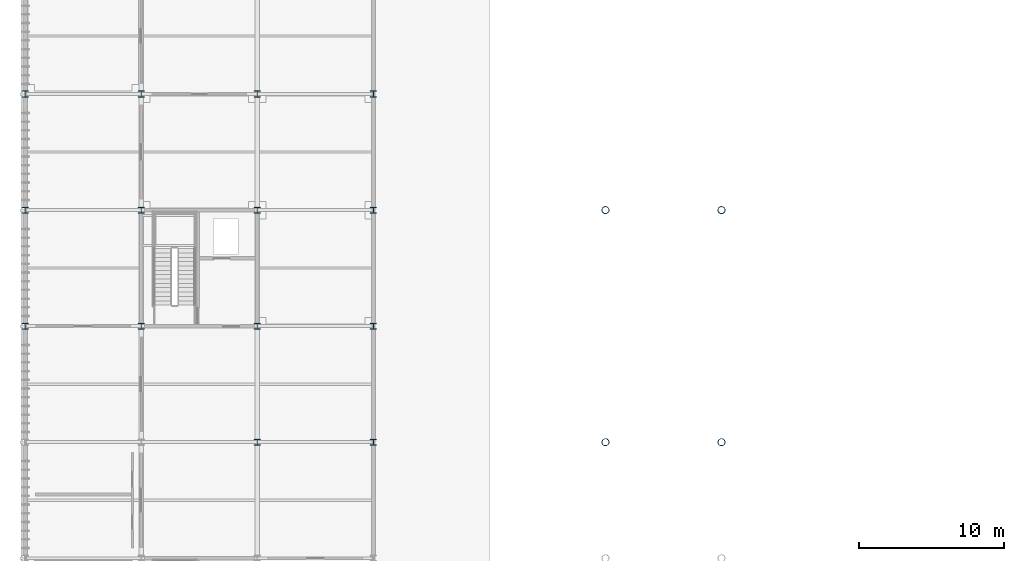
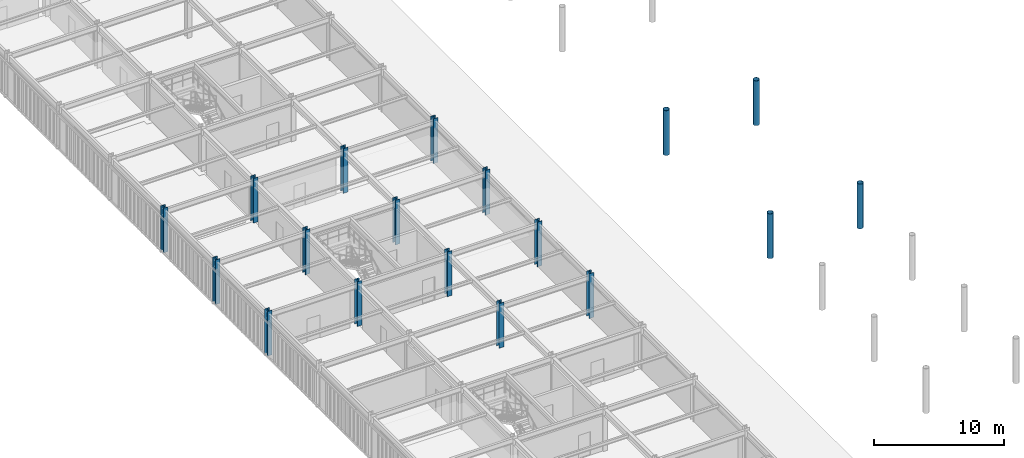
# One storey, part 2 of 54: 18 columns.
"""IFC4 building model written with IfcOpenShell, lengths in metres."""

from ifc_helpers import new_model, si_unit, direction, frame, origin, origin_2d, place, context, subcontext, project, spatial, hollow_circle, i_section, extrude, material, material_profile, profile_set, type_object, element, save


model = new_model("IFC4")

# Units and contexts
model_context = context("Model", 3, precision=1e-05, world=origin(), true_north=direction((0.0, 1.0)))
body_context = subcontext(model_context, "Body", "Model", "MODEL_VIEW")
ifc_project = project(units=[si_unit("LENGTHUNIT", "METRE"), si_unit("AREAUNIT", "SQUARE_METRE"), si_unit("VOLUMEUNIT", "CUBIC_METRE"), si_unit("PLANEANGLEUNIT", "RADIAN"), si_unit("MASSUNIT", "GRAM", prefix="KILO")], contexts=[model_context])

# Site, building, storey
site_placement = place(None, origin())
site = spatial("IfcSite", under=ifc_project, at=site_placement, CompositionType="ELEMENT")
building_placement = place(site_placement, origin())
building = spatial("IfcBuilding", under=site, at=building_placement, Name="Haebicheon Civic Stadium", CompositionType="ELEMENT")
storey_placement = place(building_placement, frame((0.0, 0.0, 22.800048828125)))
storey = spatial("IfcBuildingStorey", under=building, at=storey_placement, Name="L06", CompositionType="ELEMENT", Elevation=22.800048828125)

# Columns
ifc_material_1 = material(Name="White painted steel SM490", Category="steel")
ifc_material_profile_1 = material_profile(ifc_material_1, hollow_circle(Radius=0.25390625, WallThickness=0.02490234375, at=origin_2d()), Name="CHS-508.0x25.0")
ifc_profile_set_1 = profile_set([ifc_material_profile_1], Name="White painted steel SM490")
column_type_1 = type_object("IfcColumnType", Name="COL-ST-CHS508", PredefinedType="COLUMN", material=ifc_profile_set_1)
for number, where, z_axis, x_axis, name in (
    (1, (64.0, 72.0, 0.0), (0.0, 0.0, 1.0), (1.0, 0.0, 0.0), "Bowl/canopy support column 64/72 (L06)"),
    (2, (72.0, 72.0, 0.0), (0.0, 0.0, 1.0), (1.0, 0.0, 0.0), "Bowl/canopy support column 72/72 (L06)"),
    (3, (64.0, 88.0, 0.0), (0.0, 0.0, 1.0), (1.0, 0.0, 0.0), "Bowl/canopy support column 64/88 (L06)"),
    (4, (72.0, 88.0, 0.0), (0.0, 0.0, 1.0), (1.0, 0.0, 0.0), "Bowl/canopy support column 72/88 (L06)"),
):
    element("IfcColumn", number, at=place(storey_placement, frame(where, z_axis=z_axis, x_axis=x_axis)), inside=storey, type_object=column_type_1, material=ifc_profile_set_1, Name=name, PredefinedType="COLUMN", context=body_context, shape_type="SweptSolid", body=[
        extrude(hollow_circle(Radius=0.25390625, WallThickness=0.02490234375, at=origin_2d()), origin(), (0.0, 0.0, 1.0), 4.199951171875),
    ])
ifc_material_2 = material(Name="Steel SM490", Category="steel")
ifc_material_profile_2 = material_profile(ifc_material_2, i_section(OverallWidth=0.406982421875, OverallDepth=0.427978515625, WebThickness=0.02001953125, FlangeThickness=0.034912109375, at=origin_2d()), Name="H-428x407x20x35")
ifc_profile_set_2 = profile_set([ifc_material_profile_2], Name="Steel SM490")
column_type_2 = type_object("IfcColumnType", Name="COL-ST-H428", PredefinedType="COLUMN", material=ifc_profile_set_2)
for number, where, z_axis, x_axis, name in (
    (5, (24.0, 80.0, 0.0), (0.0, 0.0, 1.0), (1.0, 0.0, 0.0), "L06 column 4/L"),
    (6, (24.0, 88.0, 0.0), (0.0, 0.0, 1.0), (1.0, 0.0, 0.0), "L06 column 4/M"),
    (7, (24.0, 96.0, 0.0), (0.0, 0.0, 1.0), (1.0, 0.0, 0.0), "L06 column 4/N"),
    (8, (32.0, 80.0, 0.0), (0.0, 0.0, 1.0), (1.0, 0.0, 0.0), "L06 column 5/L"),
    (9, (32.0, 88.0, 0.0), (0.0, 0.0, 1.0), (1.0, 0.0, 0.0), "L06 column 5/M"),
    (10, (32.0, 96.0, 0.0), (0.0, 0.0, 1.0), (1.0, 0.0, 0.0), "L06 column 5/N"),
    (11, (40.0, 72.0, 0.0), (0.0, 0.0, 1.0), (1.0, 0.0, 0.0), "L06 column 6/K"),
    (12, (40.0, 80.0, 0.0), (0.0, 0.0, 1.0), (1.0, 0.0, 0.0), "L06 column 6/L"),
    (13, (40.0, 88.0, 0.0), (0.0, 0.0, 1.0), (1.0, 0.0, 0.0), "L06 column 6/M"),
    (14, (40.0, 96.0, 0.0), (0.0, 0.0, 1.0), (1.0, 0.0, 0.0), "L06 column 6/N"),
    (15, (48.0, 72.0, 0.0), (0.0, 0.0, 1.0), (1.0, 0.0, 0.0), "L06 column 7/K"),
    (16, (48.0, 80.0, 0.0), (0.0, 0.0, 1.0), (1.0, 0.0, 0.0), "L06 column 7/L"),
    (17, (48.0, 88.0, 0.0), (0.0, 0.0, 1.0), (1.0, 0.0, 0.0), "L06 column 7/M"),
    (18, (48.0, 96.0, 0.0), (0.0, 0.0, 1.0), (1.0, 0.0, 0.0), "L06 column 7/N"),
):
    element("IfcColumn", number, at=place(storey_placement, frame(where, z_axis=z_axis, x_axis=x_axis)), inside=storey, type_object=column_type_2, material=ifc_profile_set_2, Name=name, PredefinedType="COLUMN", context=body_context, shape_type="SweptSolid", body=[
        extrude(i_section(OverallWidth=0.406982421875, OverallDepth=0.427978515625, WebThickness=0.02001953125, FlangeThickness=0.034912109375, at=origin_2d()), origin(), (0.0, 0.0, 1.0), 4.199951171875),
    ])

save(model, "model.ifc")
